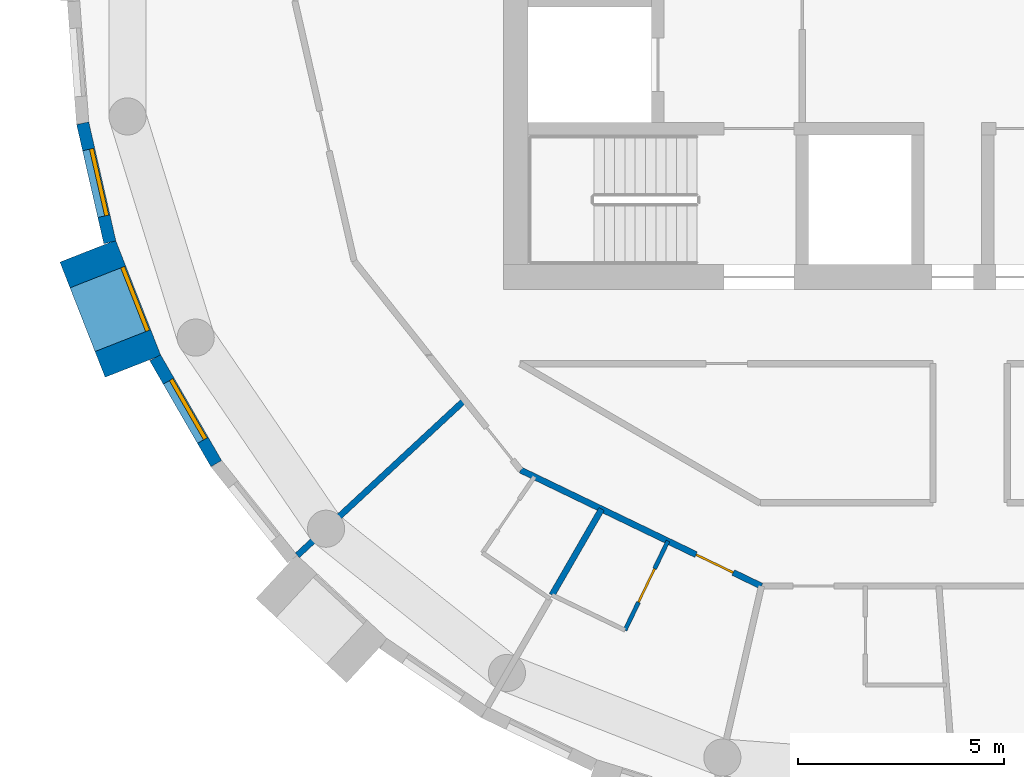
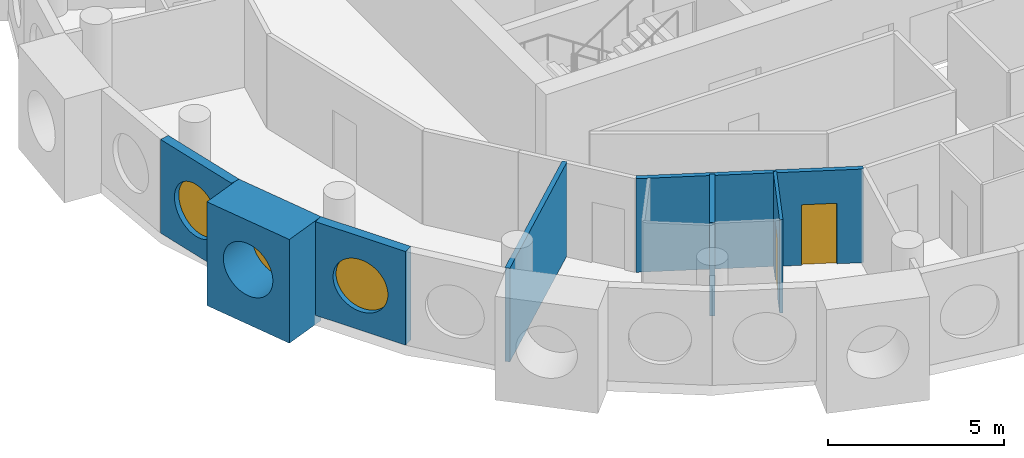
# One storey, part 2 of 13: 7 walls, 3 windows, 2 doors, 5 openings.
"""IFC4 building model written with IfcOpenShell, lengths in metres."""

from ifc_helpers import new_model, si_unit, direction, frame, frame_2d, origin, origin_2d, place, context, subcontext, project, spatial, rectangle, circle, extrude, material, layer, layer_set, type_object, element, fill, save


model = new_model("IFC4")

# Units and contexts
model_context = context("Model", 3, precision=1e-05, world=origin(), true_north=direction((0.0, 1.0)))
body_context = subcontext(model_context, "Body", "Model", "MODEL_VIEW")
ifc_project = project(units=[si_unit("LENGTHUNIT", "METRE"), si_unit("AREAUNIT", "SQUARE_METRE"), si_unit("VOLUMEUNIT", "CUBIC_METRE"), si_unit("PLANEANGLEUNIT", "RADIAN"), si_unit("MASSUNIT", "GRAM", prefix="KILO")], contexts=[model_context])

# Site, building, storey
site_placement = place(None, origin())
site = spatial("IfcSite", under=ifc_project, at=site_placement, CompositionType="ELEMENT")
building_placement = place(site_placement, origin())
building = spatial("IfcBuilding", under=site, at=building_placement, Name="Tracery Tower", CompositionType="ELEMENT")
storey_placement = place(building_placement, frame((0.0, 0.0, 298.199951171875)))
storey = spatial("IfcBuildingStorey", under=building, at=storey_placement, Name="L77", CompositionType="ELEMENT", Elevation=298.199951171875)

# Wall, opening, window
ifc_material_1 = material(Name="Precast concrete C50/60", Category="concrete")
ifc_layer_1 = layer(ifc_material_1, 1.449951171875)
ifc_layer_set_1 = layer_set([ifc_layer_1], Name="Deep-set bay unit 3000 x 3600, slab edge 350")
wall_type_1 = type_object("IfcWallType", Name="Deep-set bay unit 3000 x 3600, slab edge 350", PredefinedType="ELEMENTEDWALL", material=ifc_layer_set_1)
wall_1_placement = place(storey_placement, frame((-19.576171875, -6.071533203125, -0.349853515625), z_axis=(0.0, 0.0, 1.0), x_axis=(0.36537792632, -0.93085926485, 0.0)))
wall_1 = element("IfcWall", 1, at=wall_1_placement, inside=storey, type_object=wall_type_1, Name="Deep-set bay unit 24 at L77", PredefinedType="ELEMENTEDWALL", context=body_context, shape_type="SweptSolid", body=[
    extrude(rectangle(XDim=3.000244140625, YDim=1.449951171875, at=frame_2d((1.5, 0.0))), origin(), (0.0, 0.0, 1.0), 3.599853515625),
])
opening_1_placement = place(wall_1_placement, frame((1.5, 0.0, 1.89990234375)))
opening_1 = element("IfcOpeningElement", 2, at=opening_1_placement, cuts=wall_1, Name="Opening WN1", PredefinedType="OPENING", context=body_context, shape_type="SweptSolid", body=[
    extrude(circle(Radius=0.9000244140625, at=origin_2d()), frame((0.0, 0.73486328125, 0.0), z_axis=(0.0, -1.0, 0.0), x_axis=(1.0, 0.0, 0.0)), (0.0, 0.0, 1.0), 1.469970703125),
])
ifc_material_2 = material(Name="Aluminium frame with tinted double glazing", Category="aluminium")
window_type = type_object("IfcWindowType", Name="Round window 1800", PartitioningType="SINGLE_PANEL", PredefinedType="WINDOW", material=ifc_material_2)
window_1_placement = place(opening_1_placement, origin())
window_1 = element("IfcWindow", 3, at=window_1_placement, inside=storey, type_object=window_type, Name="Round window 24 at L77", OverallHeight=1.800048828125, OverallWidth=1.800048828125, PartitioningType="SINGLE_PANEL", PredefinedType="WINDOW", context=body_context, shape_type="SweptSolid", body=[
    extrude(circle(Radius=0.9000244140625, at=origin_2d()), frame((0.0, 0.69482421875, 0.0), z_axis=(0.0, -1.0, 0.0), x_axis=(1.0, 0.0, 0.0)), (0.0, 0.0, 1.0), 0.10009765625),
])
fill(opening_1, window_1)

ifc_material_3 = material(Name="Precast concrete C50/60", Category="concrete")
ifc_layer_2 = layer(ifc_material_3, 0.300048828125)
ifc_layer_set_2 = layer_set([ifc_layer_2], Name="Facade panel 3000 x 3250")
wall_type_2 = type_object("IfcWallType", Name="Facade panel 3000 x 3250", PredefinedType="SOLIDWALL", material=ifc_layer_set_2)
wall_2_placement = place(storey_placement, frame((-19.69921875, -2.96923828125, 0.0), z_axis=(0.0, 0.0, 1.0), x_axis=(0.222529389789, -0.974925982155, 0.0)))
wall_2 = element("IfcWall", 4, at=wall_2_placement, inside=storey, type_object=wall_type_2, Name="Facade panel 23 at L77", PredefinedType="SOLIDWALL", context=body_context, shape_type="SweptSolid", body=[
    extrude(rectangle(XDim=2.962158203125, YDim=0.300048828125, at=frame_2d((1.48095703125, 0.0))), origin(), (0.0, 0.0, 1.0), 3.25),
])
opening_2_placement = place(wall_2_placement, frame((1.48095703125, 0.0, 1.5498046875)))
opening_2 = element("IfcOpeningElement", 5, at=opening_2_placement, cuts=wall_2, Name="Opening WN1", PredefinedType="OPENING", context=body_context, shape_type="SweptSolid", body=[
    extrude(circle(Radius=0.9000244140625, at=origin_2d()), frame((0.0, 0.159912109375, 0.0), z_axis=(0.0, -1.0, 0.0), x_axis=(1.0, 0.0, 0.0)), (0.0, 0.0, 1.0), 0.320068359375),
])
window_2_placement = place(opening_2_placement, origin())
window_2 = element("IfcWindow", 6, at=window_2_placement, inside=storey, type_object=window_type, Name="Round window 23 at L77", OverallHeight=1.800048828125, OverallWidth=1.800048828125, PartitioningType="SINGLE_PANEL", PredefinedType="WINDOW", context=body_context, shape_type="SweptSolid", body=[
    extrude(circle(Radius=0.9000244140625, at=origin_2d()), frame((0.0, 0.1201171875, 0.0), z_axis=(0.0, -1.0, 0.0), x_axis=(1.0, 0.0, 0.0)), (0.0, 0.0, 1.0), 0.10009765625),
])
fill(opening_2, window_2)

wall_3_placement = place(storey_placement, frame((-17.941162109375, -8.656982421875, 0.0), z_axis=(0.0, 0.0, 1.0), x_axis=(0.499950756475, -0.86605383268, 0.0)))
wall_3 = element("IfcWall", 7, at=wall_3_placement, inside=storey, type_object=wall_type_2, Name="Facade panel 25 at L77", PredefinedType="SOLIDWALL", context=body_context, shape_type="SweptSolid", body=[
    extrude(rectangle(XDim=2.962158203125, YDim=0.300048828125, at=frame_2d((1.48095703125, 0.0))), origin(), (0.0, 0.0, 1.0), 3.25),
])
opening_3_placement = place(wall_3_placement, frame((1.48095703125, 0.0, 1.5498046875)))
opening_3 = element("IfcOpeningElement", 8, at=opening_3_placement, cuts=wall_3, Name="Opening WN1", PredefinedType="OPENING", context=body_context, shape_type="SweptSolid", body=[
    extrude(circle(Radius=0.9000244140625, at=origin_2d()), frame((0.0, 0.159912109375, 0.0), z_axis=(0.0, -1.0, 0.0), x_axis=(1.0, 0.0, 0.0)), (0.0, 0.0, 1.0), 0.320068359375),
])
window_3_placement = place(opening_3_placement, origin())
window_3 = element("IfcWindow", 9, at=window_3_placement, inside=storey, type_object=window_type, Name="Round window 25 at L77", OverallHeight=1.800048828125, OverallWidth=1.800048828125, PartitioningType="SINGLE_PANEL", PredefinedType="WINDOW", context=body_context, shape_type="SweptSolid", body=[
    extrude(circle(Radius=0.9000244140625, at=origin_2d()), frame((0.0, 0.1201171875, 0.0), z_axis=(0.0, -1.0, 0.0), x_axis=(1.0, 0.0, 0.0)), (0.0, 0.0, 1.0), 0.10009765625),
])
fill(opening_3, window_3)

# Wall, opening, door
ifc_material_4 = material(Name="Plasterboard on steel studs", Category="steel")
ifc_layer_3 = layer(ifc_material_4, 0.10009765625)
ifc_layer_set_3 = layer_set([ifc_layer_3], Name="Partition 100 wet wall")
wall_type_3 = type_object("IfcWallType", Name="Partition 100 wet wall", PredefinedType="PARTITIONING", material=ifc_layer_set_3)
wall_4_placement = place(storey_placement, frame((-6.548095703125, -15.261962890625, 0.0), z_axis=(0.0, 0.0, 1.0), x_axis=(0.433855388624, 0.900982520231, 0.0)))
wall_4 = element("IfcWall", 10, at=wall_4_placement, inside=storey, type_object=wall_type_3, Name="Wet wall RC7-066", PredefinedType="PARTITIONING", context=body_context, shape_type="SweptSolid", body=[
    extrude(rectangle(XDim=2.3994140625, YDim=0.10009765625, at=frame_2d((1.19970703125, 0.0))), origin(), (0.0, 0.0, 1.0), 3.25),
])
opening_4_placement = place(wall_4_placement, frame((0.75, 0.0, 0.0)))
opening_4 = element("IfcOpeningElement", 11, at=opening_4_placement, cuts=wall_4, Name="Opening RC7-17", PredefinedType="OPENING", context=body_context, shape_type="SweptSolid", body=[
    extrude(rectangle(XDim=0.89990234375, YDim=2.0400390625, at=frame_2d((0.449951171875, 1.02001953125))), frame((0.0, 0.050048828125, 0.0), z_axis=(0.0, -1.0, 0.0), x_axis=(1.0, 0.0, 0.0)), (0.0, 0.0, 1.0), 0.10009765625),
])
ifc_material_5 = material(Name="Timber door leaf", Category="wood")
door_type_1 = type_object("IfcDoorType", Name="Door en-suite 900", OperationType="NOTDEFINED", PredefinedType="DOOR", material=ifc_material_5)
door_1_placement = place(opening_4_placement, origin())
door_1 = element("IfcDoor", 12, at=door_1_placement, inside=storey, type_object=door_type_1, Name="En-suite door RC7-17", OperationType="SINGLE_SWING_RIGHT", OverallHeight=2.0400390625, OverallWidth=0.89990234375, PredefinedType="DOOR", context=body_context, shape_type="SweptSolid", body=[
    extrude(rectangle(XDim=0.89990234375, YDim=2.0400390625, at=frame_2d((0.449951171875, 1.02001953125))), frame((0.0, 0.02490234375, 0.0), z_axis=(0.0, -1.0, 0.0), x_axis=(1.0, 0.0, 0.0)), (0.0, 0.0, 1.0), 0.050048828125),
])
fill(opening_4, door_1)

# Walls
ifc_material_6 = material(Name="Plasterboard on steel studs", Category="steel")
ifc_layer_4 = layer(ifc_material_6, 0.14990234375)
ifc_layer_set_4 = layer_set([ifc_layer_4], Name="Partition 150 acoustic unit wall")
wall_type_4 = type_object("IfcWallType", Name="Partition 150 acoustic unit wall", PredefinedType="PARTITIONING", material=ifc_layer_set_4)
wall_5_placement = place(storey_placement, frame((-14.492919921875, -13.447998046875, 0.0), z_axis=(0.0, 0.0, 1.0), x_axis=(0.73295202722, 0.68028032883, 0.0)))
element("IfcWall", 13, at=wall_5_placement, inside=storey, type_object=wall_type_4, Name="Unit wall RC7-060", PredefinedType="PARTITIONING", context=body_context, shape_type="SweptSolid", body=[
    extrude(rectangle(XDim=5.5390625, YDim=0.14990234375, at=frame_2d((2.76953125, 0.0))), origin(), (0.0, 0.0, 1.0), 3.25),
])
wall_6_placement = place(storey_placement, frame((-8.321044921875, -14.412109375, 0.0), z_axis=(0.0, 0.0, 1.0), x_axis=(0.500017667814, 0.866015203027, 0.0)))
element("IfcWall", 14, at=wall_6_placement, inside=storey, type_object=wall_type_4, Name="Unit wall RC7-064", PredefinedType="PARTITIONING", context=body_context, shape_type="SweptSolid", body=[
    extrude(rectangle(XDim=2.41015625, YDim=0.14990234375, at=frame_2d((1.205078125, 0.0))), origin(), (0.0, 0.0, 1.0), 3.25),
])

# Wall, opening, door
ifc_material_7 = material(Name="Plasterboard on steel studs", Category="steel")
ifc_layer_5 = layer(ifc_material_7, 0.14990234375)
ifc_layer_set_5 = layer_set([ifc_layer_5], Name="Partition 150 corridor wall")
wall_type_5 = type_object("IfcWallType", Name="Partition 150 corridor wall", PredefinedType="PARTITIONING", material=ifc_layer_set_5)
wall_7_placement = place(storey_placement, frame((-9.075927734375, -11.381103515625, 0.0), z_axis=(0.0, 0.0, 1.0), x_axis=(0.900778421649, -0.434278983018, 0.0)))
wall_7 = element("IfcWall", 15, at=wall_7_placement, inside=storey, type_object=wall_type_5, Name="Corridor wall RC7-039", PredefinedType="PARTITIONING", context=body_context, shape_type="SweptSolid", body=[
    extrude(rectangle(XDim=6.478515625, YDim=0.14990234375, at=frame_2d((3.2392578125, 0.0))), origin(), (0.0, 0.0, 1.0), 3.25),
])
opening_5_placement = place(wall_7_placement, frame((4.718505859375, 0.0, 0.0)))
opening_5 = element("IfcOpeningElement", 16, at=opening_5_placement, cuts=wall_7, Name="Opening RC7-18", PredefinedType="OPENING", context=body_context, shape_type="SweptSolid", body=[
    extrude(rectangle(XDim=1.0, YDim=2.10009765625, at=frame_2d((0.5, 1.050048828125))), frame((0.0, 0.074951171875, 0.0), z_axis=(0.0, -1.0, 0.0), x_axis=(1.0, 0.0, 0.0)), (0.0, 0.0, 1.0), 0.14990234375),
])
ifc_material_8 = material(Name="Timber door leaf", Category="wood")
door_type_2 = type_object("IfcDoorType", Name="Door unit entrance 1000", OperationType="NOTDEFINED", PredefinedType="DOOR", material=ifc_material_8)
door_2_placement = place(opening_5_placement, origin())
door_2 = element("IfcDoor", 17, at=door_2_placement, inside=storey, type_object=door_type_2, Name="Unit entrance door RC7-18", OperationType="SINGLE_SWING_LEFT", OverallHeight=2.10009765625, OverallWidth=1.0, PredefinedType="DOOR", context=body_context, shape_type="SweptSolid", body=[
    extrude(rectangle(XDim=1.0, YDim=2.10009765625, at=frame_2d((0.5, 1.050048828125))), frame((0.0, 0.02490234375, 0.0), z_axis=(0.0, -1.0, 0.0), x_axis=(1.0, 0.0, 0.0)), (0.0, 0.0, 1.0), 0.050048828125),
])
fill(opening_5, door_2)

save(model, "model.ifc")
